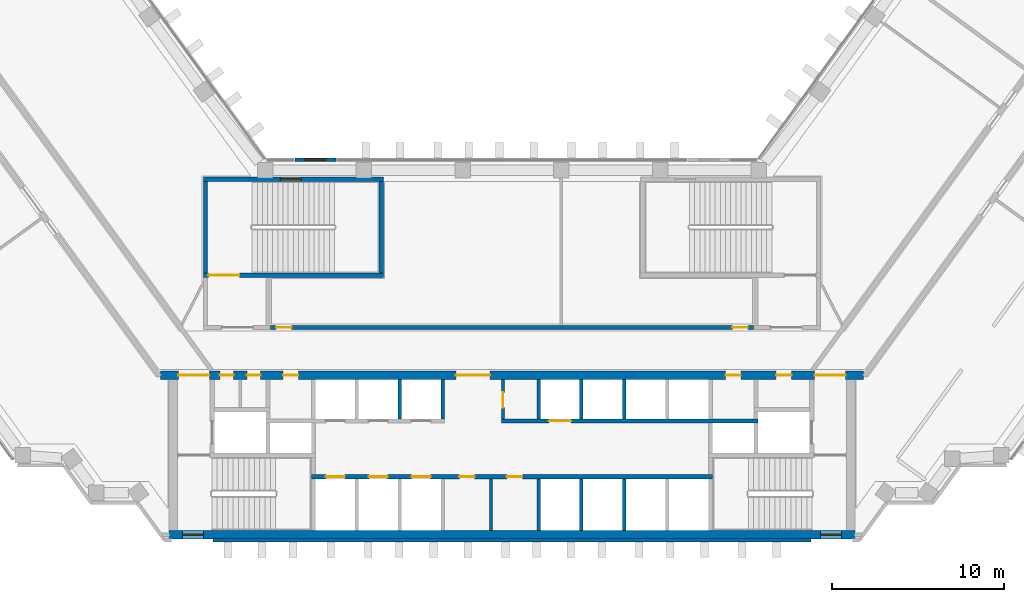
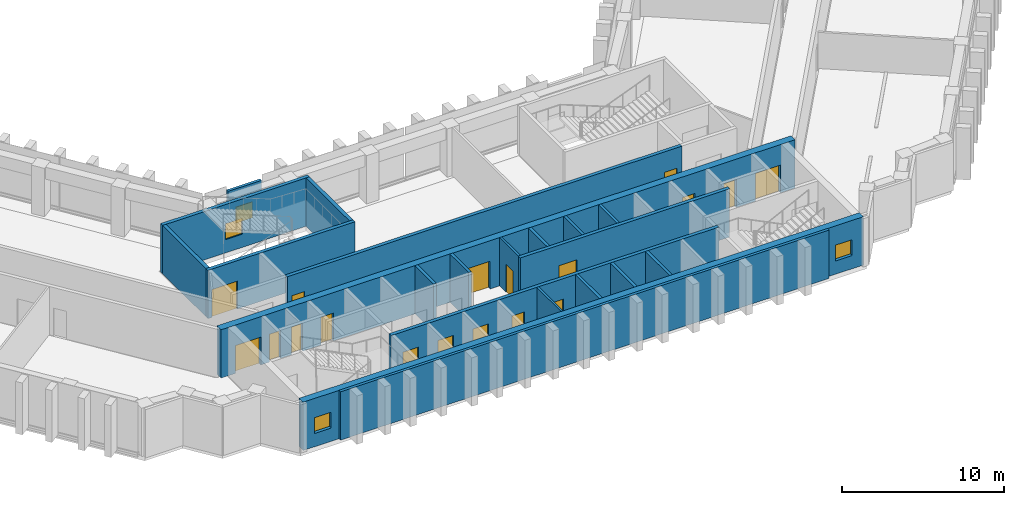
# One storey, part 6 of 12: 21 walls, 18 doors, 4 windows, 22 openings.
"""IFC4 building model written with IfcOpenShell, lengths in metres."""

import ifcopenshell
import ifcopenshell.guid

model = None  # the IFC model being written
_history = None  # IfcOwnerHistory: only IFC2X3 demands one
_inside = {}  # id of a spatial element -> (the spatial element, [elements in it])
_under = {}  # id of a project, library or spatial element -> (it, [spatial elements below it])
_declared = {}  # id of a project -> (the project, [libraries it declares])
_typed = {}  # id of a type object -> (the type object, [elements of that type])
_made_of = {}  # id of a material, layer set ... -> (it, [elements and type objects made of it])


def new_model(schema):
    """Start an empty IFC model of exactly this schema.

    Asked for "IFC4X3", IfcOpenShell would pick the latest addendum, in which some entities
    have other attributes; the version numbers below select the first issue.
    IFC2X3 requires an IfcOwnerHistory on every rooted entity: one is made here for all.
    """
    global model, _history
    if schema == "IFC4X3":
        model = ifcopenshell.file(schema_version=(4, 3, 0, 0))
    else:
        model = ifcopenshell.file(schema=schema)
    _inside.clear()
    _under.clear()
    _declared.clear()
    _typed.clear()
    _made_of.clear()
    _history = None
    if model.schema == "IFC2X3":
        org = make("IfcOrganization", Name="unknown")
        user = make(
            "IfcPersonAndOrganization",
            ThePerson=make("IfcPerson", FamilyName="unknown"),
            TheOrganization=org,
        )
        app = make(
            "IfcApplication",
            ApplicationDeveloper=org,
            Version="unknown",
            ApplicationFullName="unknown",
            ApplicationIdentifier="unknown",
        )
        _history = make(
            "IfcOwnerHistory",
            OwningUser=user,
            OwningApplication=app,
            ChangeAction="ADDED",
            CreationDate=0,
        )
    return model


def make(cls, **values):
    """One entity of the class cls with the attributes given. An attribute that is None is left unset."""
    return model.create_entity(
        cls, **{name: value for name, value in values.items() if value is not None}
    )


def rooted(cls, **values):
    """An entity with a GlobalId (a new one), such as an element, a storey or a relation."""
    return make(cls, GlobalId=ifcopenshell.guid.new(), OwnerHistory=_history, **values)


def si_unit(unit_type, name, prefix=None):
    """IfcSIUnit, for example si_unit("LENGTHUNIT", "METRE", prefix="MILLI")."""
    return make("IfcSIUnit", UnitType=unit_type, Prefix=prefix, Name=name)


def assignment(units):
    """IfcUnitAssignment: the units of a project."""
    return None if units is None else make("IfcUnitAssignment", Units=units)


def point(xyz):
    """IfcCartesianPoint."""
    return None if xyz is None else make("IfcCartesianPoint", Coordinates=xyz)


def direction(xyz):
    """IfcDirection."""
    return None if xyz is None else make("IfcDirection", DirectionRatios=xyz)


def frame(location, z_axis=None, x_axis=None):
    """IfcAxis2Placement3D, a coordinate frame: its origin and axes. An axis left out is left unset."""
    return make(
        "IfcAxis2Placement3D",
        Location=point(location),
        Axis=direction(z_axis),
        RefDirection=direction(x_axis),
    )


def frame_2d(location, x_axis=None):
    """IfcAxis2Placement2D, a coordinate frame in the plane: its origin and x axis."""
    return make(
        "IfcAxis2Placement2D", Location=point(location), RefDirection=direction(x_axis)
    )


def origin():
    """The frame at (0, 0, 0) with its axes left unset."""
    return frame((0.0, 0.0, 0.0))


def place(relative_to, where):
    """IfcLocalPlacement: puts the frame where relative to a parent placement (None: the world)."""
    return make(
        "IfcLocalPlacement", PlacementRelTo=relative_to, RelativePlacement=where
    )


def context(
    kind, dimensions, precision=None, world=None, true_north=None, identifier=None
):
    """IfcGeometricRepresentationContext, for example the 3D "Model" context."""
    return make(
        "IfcGeometricRepresentationContext",
        ContextIdentifier=identifier,
        ContextType=kind,
        CoordinateSpaceDimension=dimensions,
        Precision=precision,
        WorldCoordinateSystem=world,
        TrueNorth=true_north,
    )


def subcontext(parent, identifier, kind, view, scale=None):
    """IfcGeometricRepresentationSubContext, for example "Body" below "Model"."""
    return make(
        "IfcGeometricRepresentationSubContext",
        ContextIdentifier=identifier,
        ContextType=kind,
        ParentContext=parent,
        TargetScale=scale,
        TargetView=view,
    )


def project(units=None, contexts=None):
    """IfcProject with its units and contexts."""
    return rooted(
        "IfcProject",
        Name="project",
        RepresentationContexts=contexts,
        UnitsInContext=assignment(units),
    )


def spatial(cls, under=None, at=None, **own):
    """A site, building, storey or space (cls), placed at a placement, below another one or the project."""
    s = rooted(cls, ObjectPlacement=at, **own)
    if under is not None:
        _under.setdefault(under.id(), (under, []))[1].append(s)
    return s


def profile(cls, at=None, kind="AREA", **sizes):
    """A parametric profile (cls). Its sizes go by their IFC names, for example OverallWidth=200.0."""
    return make(cls, ProfileType=kind, Position=at, **sizes)


def rectangle(**sizes):
    """IfcRectangleProfileDef."""
    return profile("IfcRectangleProfileDef", **sizes)


def extrude(swept, where, along, depth):
    """IfcExtrudedAreaSolid: the profile swept, set in the frame where, extruded along a direction by depth."""
    return make(
        "IfcExtrudedAreaSolid",
        SweptArea=swept,
        Position=where,
        ExtrudedDirection=direction(along),
        Depth=depth,
    )


def shape(context_of_items, identifier, shape_type, items):
    """IfcShapeRepresentation: the items that make up one representation, for example the "Body"."""
    return make(
        "IfcShapeRepresentation",
        ContextOfItems=context_of_items,
        RepresentationIdentifier=identifier,
        RepresentationType=shape_type,
        Items=items,
    )


def material(Name=None, Category=None):
    """IfcMaterial."""
    return make("IfcMaterial", Name=Name, Category=Category)


def layer(
    of_material, thickness, ventilated=None, Name=None, Category=None, Priority=None
):
    """IfcMaterialLayer: one layer of a wall or slab, of a material (None: an air gap)."""
    return make(
        "IfcMaterialLayer",
        Material=of_material,
        LayerThickness=thickness,
        IsVentilated=ventilated,
        Name=Name,
        Category=Category,
        Priority=Priority,
    )


def layer_set(layers, Name=None):
    """IfcMaterialLayerSet."""
    return make("IfcMaterialLayerSet", MaterialLayers=layers, LayerSetName=Name)


def made_of(thing, what):
    """Note that an element or type object is made of a material, layer set ...; save() writes the relation."""
    if what is not None:
        _made_of.setdefault(what.id(), (what, []))[1].append(thing)
    return thing


def type_object(cls, material=None, **own):
    """A type object (cls), such as IfcWallType, which elements share."""
    return made_of(rooted(cls, **own), material)


def element(
    cls,
    number,
    at=None,
    inside=None,
    cuts=None,
    type_object=None,
    material=None,
    context=None,
    identifier="Body",
    shape_type=None,
    held_by="IfcProductDefinitionShape",
    body=None,
    shapes=None,
    **own,
):
    """One element of the class cls, such as IfcWall. Its Tag is "e" and its number.

    at: its placement. inside: the storey or other place that contains it. cuts: it is an
    opening in that element (IfcRelVoidsElement). A single representation is given by context,
    identifier, shape_type and body (its items); several are given by shapes. held_by: the class
    of the entity that holds the representations. save() writes the other relations.
    """
    e = rooted(cls, Tag="e%d" % number, ObjectPlacement=at, **own)
    if body is not None:
        shapes = [shape(context, identifier, shape_type, body)]
    if shapes is not None:
        e.Representation = make(held_by, Representations=shapes)
    if inside is not None:
        _inside.setdefault(inside.id(), (inside, []))[1].append(e)
    if cuts is not None:
        rooted(
            "IfcRelVoidsElement", RelatingBuildingElement=cuts, RelatedOpeningElement=e
        )
    if type_object is not None:
        _typed.setdefault(type_object.id(), (type_object, []))[1].append(e)
    return made_of(e, material)


def fill(opening, filler):
    """IfcRelFillsElement: the door or window that sits in an opening."""
    return rooted(
        "IfcRelFillsElement",
        RelatingOpeningElement=opening,
        RelatedBuildingElement=filler,
    )


def aggregate(whole, parts):
    """IfcRelAggregates: a whole, such as a stair, and the parts it consists of."""
    return rooted("IfcRelAggregates", RelatingObject=whole, RelatedObjects=parts)


def save(model, path):
    """Write the relations noted so far, then the file.

    IfcRelAggregates (storeys below a building ...), IfcRelContainedInSpatialStructure (elements
    in a storey), IfcRelDefinesByType, IfcRelAssociatesMaterial and IfcRelDeclares: one each for
    every whole, place, type object, material and project.
    """
    for whole, parts in _under.values():
        aggregate(whole, parts)
    for where, things in _inside.values():
        rooted(
            "IfcRelContainedInSpatialStructure",
            RelatedElements=things,
            RelatingStructure=where,
        )
    for kind, things in _typed.values():
        rooted("IfcRelDefinesByType", RelatedObjects=things, RelatingType=kind)
    for what, things in _made_of.values():
        rooted("IfcRelAssociatesMaterial", RelatedObjects=things, RelatingMaterial=what)
    for by, libraries in _declared.values():
        rooted("IfcRelDeclares", RelatingContext=by, RelatedDefinitions=libraries)
    model.write(path)


model = new_model("IFC4")

# Units and contexts
model_context = context("Model", 3, precision=1e-05, world=origin(), true_north=direction((0.0, 1.0)))
body_context = subcontext(model_context, "Body", "Model", "MODEL_VIEW")
ifc_project = project(units=[si_unit("LENGTHUNIT", "METRE"), si_unit("AREAUNIT", "SQUARE_METRE"), si_unit("VOLUMEUNIT", "CUBIC_METRE"), si_unit("PLANEANGLEUNIT", "RADIAN"), si_unit("MASSUNIT", "GRAM", prefix="KILO")], contexts=[model_context])

# Site, building, storey
site_placement = place(None, origin())
site = spatial("IfcSite", under=ifc_project, at=site_placement, CompositionType="ELEMENT")
building_placement = place(site_placement, origin())
building = spatial("IfcBuilding", under=site, at=building_placement, Name="Quipu Civic Tower", CompositionType="ELEMENT")
storey_placement = place(building_placement, frame((0.0, 0.0, 109.0)))
storey = spatial("IfcBuildingStorey", under=building, at=storey_placement, Name="L25", CompositionType="ELEMENT", Elevation=109.0)

# Wall, openings, doors
ifc_material_1 = material(Name="Concrete C70/85", Category="concrete")
ifc_layer_1 = layer(ifc_material_1, 0.25)
ifc_layer_set_1 = layer_set([ifc_layer_1], Name="Concrete C70/85")
wall_type_1 = type_object("IfcWallType", Name="Core wall 250", PredefinedType="SHEAR", material=ifc_layer_set_1)
wall_1_placement = place(storey_placement, frame((11.699951171875, -7.375, 0.0), z_axis=(0.0, 0.0, 1.0), x_axis=(-1.0, 0.0, 0.0)))
wall_1 = element("IfcWall", 1, at=wall_1_placement, inside=storey, type_object=wall_type_1, Name="Core wall", PredefinedType="SHEAR", context=body_context, shape_type="SweptSolid", body=[
    extrude(rectangle(XDim=23.39990234375, YDim=0.25, at=frame_2d((11.699951171875, 0.0))), origin(), (0.0, 0.0, 1.0), 3.64990234375),
])
opening_1_placement = place(wall_1_placement, frame((21.449951171875, 0.0, 0.0)))
opening_1 = element("IfcOpeningElement", 2, at=opening_1_placement, cuts=wall_1, Name="Opening LD-LL1", PredefinedType="OPENING", context=body_context, shape_type="SweptSolid", body=[
    extrude(rectangle(XDim=1.10009765625, YDim=2.10009765625, at=frame_2d((0.550048828125, 1.050048828125))), frame((0.0, 0.135009765625, 0.0), z_axis=(0.0, -1.0, 0.0), x_axis=(1.0, 0.0, 0.0)), (0.0, 0.0, 1.0), 0.27001953125),
])
opening_2_placement = place(wall_1_placement, frame((18.949951171875, 0.0, 0.0)))
opening_2 = element("IfcOpeningElement", 3, at=opening_2_placement, cuts=wall_1, Name="Opening LD-LL2", PredefinedType="OPENING", context=body_context, shape_type="SweptSolid", body=[
    extrude(rectangle(XDim=1.10009765625, YDim=2.10009765625, at=frame_2d((0.550048828125, 1.050048828125))), frame((0.0, 0.135009765625, 0.0), z_axis=(0.0, -1.0, 0.0), x_axis=(1.0, 0.0, 0.0)), (0.0, 0.0, 1.0), 0.27001953125),
])
opening_3_placement = place(wall_1_placement, frame((16.449951171875, 0.0, 0.0)))
opening_3 = element("IfcOpeningElement", 4, at=opening_3_placement, cuts=wall_1, Name="Opening LD-LL3", PredefinedType="OPENING", context=body_context, shape_type="SweptSolid", body=[
    extrude(rectangle(XDim=1.10009765625, YDim=2.10009765625, at=frame_2d((0.550048828125, 1.050048828125))), frame((0.0, 0.135009765625, 0.0), z_axis=(0.0, -1.0, 0.0), x_axis=(1.0, 0.0, 0.0)), (0.0, 0.0, 1.0), 0.27001953125),
])
opening_4_placement = place(wall_1_placement, frame((13.875, 0.0, 0.0)))
opening_4 = element("IfcOpeningElement", 5, at=opening_4_placement, cuts=wall_1, Name="Opening CD-01", PredefinedType="OPENING", context=body_context, shape_type="SweptSolid", body=[
    extrude(rectangle(XDim=0.89990234375, YDim=2.10009765625, at=frame_2d((0.449951171875, 1.050048828125))), frame((0.0, 0.135009765625, 0.0), z_axis=(0.0, -1.0, 0.0), x_axis=(1.0, 0.0, 0.0)), (0.0, 0.0, 1.0), 0.27001953125),
])
opening_5_placement = place(wall_1_placement, frame((11.10009765625, 0.0, 0.0)))
opening_5 = element("IfcOpeningElement", 6, at=opening_5_placement, cuts=wall_1, Name="Opening CD-02", PredefinedType="OPENING", context=body_context, shape_type="SweptSolid", body=[
    extrude(rectangle(XDim=0.89990234375, YDim=2.10009765625, at=frame_2d((0.449951171875, 1.050048828125))), frame((0.0, 0.135009765625, 0.0), z_axis=(0.0, -1.0, 0.0), x_axis=(1.0, 0.0, 0.0)), (0.0, 0.0, 1.0), 0.27001953125),
])
ifc_material_2 = material(Name="Fire rated steel door", Category="steel")
door_type_1 = type_object("IfcDoorType", Name="Fire door FD60 900 x 2100", OperationType="NOTDEFINED", PredefinedType="DOOR", material=ifc_material_2)
door_1_placement = place(opening_4_placement, origin())
door_1 = element("IfcDoor", 7, at=door_1_placement, inside=storey, type_object=door_type_1, Name="WC door", OperationType="SINGLE_SWING_RIGHT", OverallHeight=2.10009765625, OverallWidth=0.89990234375, PredefinedType="DOOR", context=body_context, shape_type="SweptSolid", body=[
    extrude(rectangle(XDim=0.89990234375, YDim=2.10009765625, at=frame_2d((0.449951171875, 1.050048828125))), frame((0.0, 0.02490234375, 0.0), z_axis=(0.0, -1.0, 0.0), x_axis=(1.0, 0.0, 0.0)), (0.0, 0.0, 1.0), 0.050048828125),
])
fill(opening_4, door_1)
door_2_placement = place(opening_5_placement, origin())
door_2 = element("IfcDoor", 8, at=door_2_placement, inside=storey, type_object=door_type_1, Name="WC door", OperationType="SINGLE_SWING_LEFT", OverallHeight=2.10009765625, OverallWidth=0.89990234375, PredefinedType="DOOR", context=body_context, shape_type="SweptSolid", body=[
    extrude(rectangle(XDim=0.89990234375, YDim=2.10009765625, at=frame_2d((0.449951171875, 1.050048828125))), frame((0.0, 0.02490234375, 0.0), z_axis=(0.0, -1.0, 0.0), x_axis=(1.0, 0.0, 0.0)), (0.0, 0.0, 1.0), 0.050048828125),
])
fill(opening_5, door_2)
ifc_material_3 = material(Name="Stainless steel", Category="steel")
door_type_2 = type_object("IfcDoorType", Name="Lift landing door 1100 x 2100", OperationType="DOUBLE_DOOR_SLIDING", PredefinedType="DOOR", material=ifc_material_3)
door_3_placement = place(opening_1_placement, origin())
door_3 = element("IfcDoor", 9, at=door_3_placement, inside=storey, type_object=door_type_2, Name="Landing door LL1", OperationType="DOUBLE_DOOR_SLIDING", OverallHeight=2.10009765625, OverallWidth=1.10009765625, PredefinedType="DOOR", context=body_context, shape_type="SweptSolid", body=[
    extrude(rectangle(XDim=1.10009765625, YDim=2.10009765625, at=frame_2d((0.550048828125, 1.050048828125))), frame((0.0, 0.02490234375, 0.0), z_axis=(0.0, -1.0, 0.0), x_axis=(1.0, 0.0, 0.0)), (0.0, 0.0, 1.0), 0.050048828125),
])
fill(opening_1, door_3)
door_4_placement = place(opening_2_placement, origin())
door_4 = element("IfcDoor", 10, at=door_4_placement, inside=storey, type_object=door_type_2, Name="Landing door LL2", OperationType="DOUBLE_DOOR_SLIDING", OverallHeight=2.10009765625, OverallWidth=1.10009765625, PredefinedType="DOOR", context=body_context, shape_type="SweptSolid", body=[
    extrude(rectangle(XDim=1.10009765625, YDim=2.10009765625, at=frame_2d((0.550048828125, 1.050048828125))), frame((0.0, 0.02490234375, 0.0), z_axis=(0.0, -1.0, 0.0), x_axis=(1.0, 0.0, 0.0)), (0.0, 0.0, 1.0), 0.050048828125),
])
fill(opening_2, door_4)
door_5_placement = place(opening_3_placement, origin())
door_5 = element("IfcDoor", 11, at=door_5_placement, inside=storey, type_object=door_type_2, Name="Landing door LL3", OperationType="DOUBLE_DOOR_SLIDING", OverallHeight=2.10009765625, OverallWidth=1.10009765625, PredefinedType="DOOR", context=body_context, shape_type="SweptSolid", body=[
    extrude(rectangle(XDim=1.10009765625, YDim=2.10009765625, at=frame_2d((0.550048828125, 1.050048828125))), frame((0.0, 0.02490234375, 0.0), z_axis=(0.0, -1.0, 0.0), x_axis=(1.0, 0.0, 0.0)), (0.0, 0.0, 1.0), 0.050048828125),
])
fill(opening_3, door_5)

# Wall, opening, door
wall_2_placement = place(storey_placement, frame((-0.60009765625, -4.125, 0.0), z_axis=(0.0, 0.0, 1.0), x_axis=(1.0, 0.0, 0.0)))
wall_2 = element("IfcWall", 12, at=wall_2_placement, inside=storey, type_object=wall_type_1, Name="Core wall", PredefinedType="SHEAR", context=body_context, shape_type="SweptSolid", body=[
    extrude(rectangle(XDim=14.9501953125, YDim=0.25, at=frame_2d((7.47509765625, 0.0))), origin(), (0.0, 0.0, 1.0), 3.64990234375),
])
opening_6_placement = place(wall_2_placement, frame((2.75, 0.0, 0.0)))
opening_6 = element("IfcOpeningElement", 13, at=opening_6_placement, cuts=wall_2, Name="Opening LD-FF3", PredefinedType="OPENING", context=body_context, shape_type="SweptSolid", body=[
    extrude(rectangle(XDim=1.300048828125, YDim=2.10009765625, at=frame_2d((0.64990234375, 1.050048828125))), frame((0.0, 0.135009765625, 0.0), z_axis=(0.0, -1.0, 0.0), x_axis=(1.0, 0.0, 0.0)), (0.0, 0.0, 1.0), 0.27001953125),
])
ifc_material_4 = material(Name="Stainless steel", Category="steel")
door_type_3 = type_object("IfcDoorType", Name="Lift landing door 1300 x 2100", OperationType="DOUBLE_DOOR_SLIDING", PredefinedType="DOOR", material=ifc_material_4)
door_6_placement = place(opening_6_placement, origin())
door_6 = element("IfcDoor", 14, at=door_6_placement, inside=storey, type_object=door_type_3, Name="Landing door FF3", OperationType="DOUBLE_DOOR_SLIDING", OverallHeight=2.10009765625, OverallWidth=1.300048828125, PredefinedType="DOOR", context=body_context, shape_type="SweptSolid", body=[
    extrude(rectangle(XDim=1.300048828125, YDim=2.10009765625, at=frame_2d((0.64990234375, 1.050048828125))), frame((0.0, 0.02490234375, 0.0), z_axis=(0.0, -1.0, 0.0), x_axis=(1.0, 0.0, 0.0)), (0.0, 0.0, 1.0), 0.050048828125),
])
fill(opening_6, door_6)

wall_3_placement = place(storey_placement, frame((-18.0, 4.375, 0.0), z_axis=(0.0, 0.0, 1.0), x_axis=(1.0, 0.0, 0.0)))
wall_3 = element("IfcWall", 15, at=wall_3_placement, inside=storey, type_object=wall_type_1, Name="Core wall", PredefinedType="SHEAR", context=body_context, shape_type="SweptSolid", body=[
    extrude(rectangle(XDim=10.5, YDim=0.25, at=frame_2d((5.25, 0.0))), origin(), (0.0, 0.0, 1.0), 3.64990234375),
])
opening_7_placement = place(wall_3_placement, frame((0.300048828125, 0.0, 0.0)))
opening_7 = element("IfcOpeningElement", 16, at=opening_7_placement, cuts=wall_3, Name="Opening CD-15", PredefinedType="OPENING", context=body_context, shape_type="SweptSolid", body=[
    extrude(rectangle(XDim=1.800048828125, YDim=2.10009765625, at=frame_2d((0.89990234375, 1.050048828125))), frame((0.0, 0.135009765625, 0.0), z_axis=(0.0, -1.0, 0.0), x_axis=(1.0, 0.0, 0.0)), (0.0, 0.0, 1.0), 0.27001953125),
])
ifc_material_5 = material(Name="Fire rated steel door", Category="steel")
door_type_4 = type_object("IfcDoorType", Name="Fire door FD90 double 1800 x 2100", OperationType="NOTDEFINED", PredefinedType="DOOR", material=ifc_material_5)
door_7_placement = place(opening_7_placement, origin())
door_7 = element("IfcDoor", 17, at=door_7_placement, inside=storey, type_object=door_type_4, Name="Door", OperationType="DOUBLE_DOOR_SINGLE_SWING", OverallHeight=2.10009765625, OverallWidth=1.800048828125, PredefinedType="DOOR", context=body_context, shape_type="SweptSolid", body=[
    extrude(rectangle(XDim=1.800048828125, YDim=2.10009765625, at=frame_2d((0.89990234375, 1.050048828125))), frame((0.0, 0.02490234375, 0.0), z_axis=(0.0, -1.0, 0.0), x_axis=(1.0, 0.0, 0.0)), (0.0, 0.0, 1.0), 0.050048828125),
])
fill(opening_7, door_7)

# Walls
for number, where, z_axis, x_axis, name in (
    (18, (-17.875, 4.5, 0.0), (0.0, 0.0, 1.0), (0.0, 1.0, 0.0), "Core wall"),
    (19, (-7.625, 4.5, 0.0), (0.0, 0.0, 1.0), (0.0, 1.0, 0.0), "Core wall"),
):
    element("IfcWall", number, at=place(storey_placement, frame(where, z_axis=z_axis, x_axis=x_axis)), inside=storey, type_object=wall_type_1, Name=name, PredefinedType="SHEAR", context=body_context, shape_type="SweptSolid", body=[
        extrude(rectangle(XDim=5.35009765625, YDim=0.25, at=frame_2d((2.675048828125, 0.0))), origin(), (0.0, 0.0, 1.0), 3.64990234375),
    ])

# Wall, opening, window
wall_4_placement = place(storey_placement, frame((-18.0, 9.97509765625, 0.0), z_axis=(0.0, 0.0, 1.0), x_axis=(1.0, 0.0, 0.0)))
wall_4 = element("IfcWall", 20, at=wall_4_placement, inside=storey, type_object=wall_type_1, Name="Core wall", PredefinedType="SHEAR", context=body_context, shape_type="SweptSolid", body=[
    extrude(rectangle(XDim=10.5, YDim=0.25, at=frame_2d((5.25, 0.0))), origin(), (0.0, 0.0, 1.0), 3.64990234375),
])
opening_8_placement = place(wall_4_placement, frame((4.5, 0.0, 1.0)))
opening_8 = element("IfcOpeningElement", 21, at=opening_8_placement, cuts=wall_4, Name="Opening SV-3", PredefinedType="OPENING", context=body_context, shape_type="SweptSolid", body=[
    extrude(rectangle(XDim=1.199951171875, YDim=1.199951171875, at=frame_2d((0.60009765625, 0.60009765625))), frame((0.0, 0.135009765625, 0.0), z_axis=(0.0, -1.0, 0.0), x_axis=(1.0, 0.0, 0.0)), (0.0, 0.0, 1.0), 0.27001953125),
])
ifc_material_6 = material(Name="Aluminium louvre", Category="aluminium")
window_type_1 = type_object("IfcWindowType", Name="Stair ventilation louvre 1200 x 1200", PartitioningType="SINGLE_PANEL", PredefinedType="WINDOW", material=ifc_material_6)
window_1_placement = place(opening_8_placement, origin())
window_1 = element("IfcWindow", 22, at=window_1_placement, inside=storey, type_object=window_type_1, Name="Stair ventilation opening", OverallHeight=1.199951171875, OverallWidth=1.199951171875, PartitioningType="SINGLE_PANEL", PredefinedType="WINDOW", context=body_context, shape_type="SweptSolid", body=[
    extrude(rectangle(XDim=1.199951171875, YDim=1.199951171875, at=frame_2d((0.60009765625, 0.60009765625))), frame((0.0, 0.030029296875, 0.0), z_axis=(0.0, -1.0, 0.0), x_axis=(1.0, 0.0, 0.0)), (0.0, 0.0, 1.0), 0.06005859375),
])
fill(opening_8, window_1)

# Wall, openings, windows
ifc_material_7 = material(Name="Concrete C70/85", Category="concrete")
ifc_layer_2 = layer(ifc_material_7, 0.5)
ifc_layer_set_2 = layer_set([ifc_layer_2], Name="Concrete C70/85")
wall_type_2 = type_object("IfcWallType", Name="Core wall 500", PredefinedType="SHEAR", material=ifc_layer_set_2)
wall_5_placement = place(storey_placement, frame((-20.0, -10.75, 0.0), z_axis=(0.0, 0.0, 1.0), x_axis=(1.0, 0.0, 0.0)))
wall_5 = element("IfcWall", 23, at=wall_5_placement, inside=storey, type_object=wall_type_2, Name="Core wall", PredefinedType="SHEAR", context=body_context, shape_type="SweptSolid", body=[
    extrude(rectangle(XDim=40.0, YDim=0.5, at=frame_2d((20.0, 0.0))), origin(), (0.0, 0.0, 1.0), 3.64990234375),
])
opening_9_placement = place(wall_5_placement, frame((0.800048828125, 0.0, 1.0)))
opening_9 = element("IfcOpeningElement", 24, at=opening_9_placement, cuts=wall_5, Name="Opening SV-1", PredefinedType="OPENING", context=body_context, shape_type="SweptSolid", body=[
    extrude(rectangle(XDim=1.199951171875, YDim=1.199951171875, at=frame_2d((0.60009765625, 0.60009765625))), frame((0.0, 0.260009765625, 0.0), z_axis=(0.0, -1.0, 0.0), x_axis=(1.0, 0.0, 0.0)), (0.0, 0.0, 1.0), 0.52001953125),
])
opening_10_placement = place(wall_5_placement, frame((38.0, 0.0, 1.0)))
opening_10 = element("IfcOpeningElement", 25, at=opening_10_placement, cuts=wall_5, Name="Opening SV-2", PredefinedType="OPENING", context=body_context, shape_type="SweptSolid", body=[
    extrude(rectangle(XDim=1.199951171875, YDim=1.199951171875, at=frame_2d((0.60009765625, 0.60009765625))), frame((0.0, 0.260009765625, 0.0), z_axis=(0.0, -1.0, 0.0), x_axis=(1.0, 0.0, 0.0)), (0.0, 0.0, 1.0), 0.52001953125),
])
window_2_placement = place(opening_9_placement, origin())
window_2 = element("IfcWindow", 26, at=window_2_placement, inside=storey, type_object=window_type_1, Name="Stair ventilation opening", OverallHeight=1.199951171875, OverallWidth=1.199951171875, PartitioningType="SINGLE_PANEL", PredefinedType="WINDOW", context=body_context, shape_type="SweptSolid", body=[
    extrude(rectangle(XDim=1.199951171875, YDim=1.199951171875, at=frame_2d((0.60009765625, 0.60009765625))), frame((0.0, 0.030029296875, 0.0), z_axis=(0.0, -1.0, 0.0), x_axis=(1.0, 0.0, 0.0)), (0.0, 0.0, 1.0), 0.06005859375),
])
fill(opening_9, window_2)
window_3_placement = place(opening_10_placement, origin())
window_3 = element("IfcWindow", 27, at=window_3_placement, inside=storey, type_object=window_type_1, Name="Stair ventilation opening", OverallHeight=1.199951171875, OverallWidth=1.199951171875, PartitioningType="SINGLE_PANEL", PredefinedType="WINDOW", context=body_context, shape_type="SweptSolid", body=[
    extrude(rectangle(XDim=1.199951171875, YDim=1.199951171875, at=frame_2d((0.60009765625, 0.60009765625))), frame((0.0, 0.030029296875, 0.0), z_axis=(0.0, -1.0, 0.0), x_axis=(1.0, 0.0, 0.0)), (0.0, 0.0, 1.0), 0.06005859375),
])
fill(opening_10, window_3)

# Wall, openings, doors
wall_6_placement = place(storey_placement, frame((20.489990234375, -1.449951171875, 0.0), z_axis=(0.0, 0.0, 1.0), x_axis=(-1.0, 0.0, 0.0)))
wall_6 = element("IfcWall", 28, at=wall_6_placement, inside=storey, type_object=wall_type_2, Name="Core wall", PredefinedType="SHEAR", context=body_context, shape_type="SweptSolid", body=[
    extrude(rectangle(XDim=40.97998046875, YDim=0.5, at=frame_2d((20.489990234375, 0.0))), origin(), (0.0, 0.0, 1.0), 3.64990234375),
])
opening_11_placement = place(wall_6_placement, frame((38.139892578125, 0.0, 0.0)))
opening_11 = element("IfcOpeningElement", 29, at=opening_11_placement, cuts=wall_6, Name="Opening CD-06", PredefinedType="OPENING", context=body_context, shape_type="SweptSolid", body=[
    extrude(rectangle(XDim=1.800048828125, YDim=2.10009765625, at=frame_2d((0.89990234375, 1.050048828125))), frame((0.0, 0.260009765625, 0.0), z_axis=(0.0, -1.0, 0.0), x_axis=(1.0, 0.0, 0.0)), (0.0, 0.0, 1.0), 0.52001953125),
])
opening_12_placement = place(wall_6_placement, frame((36.7275390625, 0.0, 0.0)))
opening_12 = element("IfcOpeningElement", 30, at=opening_12_placement, cuts=wall_6, Name="Opening CD-07", PredefinedType="OPENING", context=body_context, shape_type="SweptSolid", body=[
    extrude(rectangle(XDim=0.800048828125, YDim=2.10009765625, at=frame_2d((0.39990234375, 1.050048828125))), frame((0.0, 0.260009765625, 0.0), z_axis=(0.0, -1.0, 0.0), x_axis=(1.0, 0.0, 0.0)), (0.0, 0.0, 1.0), 0.52001953125),
])
opening_13_placement = place(wall_6_placement, frame((35.152587890625, 0.0, 0.0)))
opening_13 = element("IfcOpeningElement", 31, at=opening_13_placement, cuts=wall_6, Name="Opening CD-08", PredefinedType="OPENING", context=body_context, shape_type="SweptSolid", body=[
    extrude(rectangle(XDim=0.800048828125, YDim=2.10009765625, at=frame_2d((0.39990234375, 1.050048828125))), frame((0.0, 0.260009765625, 0.0), z_axis=(0.0, -1.0, 0.0), x_axis=(1.0, 0.0, 0.0)), (0.0, 0.0, 1.0), 0.52001953125),
])
opening_14_placement = place(wall_6_placement, frame((32.93994140625, 0.0, 0.0)))
opening_14 = element("IfcOpeningElement", 32, at=opening_14_placement, cuts=wall_6, Name="Opening CD-09", PredefinedType="OPENING", context=body_context, shape_type="SweptSolid", body=[
    extrude(rectangle(XDim=0.89990234375, YDim=2.10009765625, at=frame_2d((0.449951171875, 1.050048828125))), frame((0.0, 0.260009765625, 0.0), z_axis=(0.0, -1.0, 0.0), x_axis=(1.0, 0.0, 0.0)), (0.0, 0.0, 1.0), 0.52001953125),
])
opening_15_placement = place(wall_6_placement, frame((21.764892578125, 0.0, 0.0)))
opening_15 = element("IfcOpeningElement", 33, at=opening_15_placement, cuts=wall_6, Name="Opening CD-10", PredefinedType="OPENING", context=body_context, shape_type="SweptSolid", body=[
    extrude(rectangle(XDim=2.0, YDim=2.10009765625, at=frame_2d((1.0, 1.050048828125))), frame((0.0, 0.260009765625, 0.0), z_axis=(0.0, -1.0, 0.0), x_axis=(1.0, 0.0, 0.0)), (0.0, 0.0, 1.0), 0.52001953125),
])
opening_16_placement = place(wall_6_placement, frame((7.139892578125, 0.0, 0.0)))
opening_16 = element("IfcOpeningElement", 34, at=opening_16_placement, cuts=wall_6, Name="Opening CD-11", PredefinedType="OPENING", context=body_context, shape_type="SweptSolid", body=[
    extrude(rectangle(XDim=0.89990234375, YDim=2.10009765625, at=frame_2d((0.449951171875, 1.050048828125))), frame((0.0, 0.260009765625, 0.0), z_axis=(0.0, -1.0, 0.0), x_axis=(1.0, 0.0, 0.0)), (0.0, 0.0, 1.0), 0.52001953125),
])
opening_17_placement = place(wall_6_placement, frame((4.18994140625, 0.0, 0.0)))
opening_17 = element("IfcOpeningElement", 35, at=opening_17_placement, cuts=wall_6, Name="Opening CD-12", PredefinedType="OPENING", context=body_context, shape_type="SweptSolid", body=[
    extrude(rectangle(XDim=0.89990234375, YDim=2.10009765625, at=frame_2d((0.449951171875, 1.050048828125))), frame((0.0, 0.260009765625, 0.0), z_axis=(0.0, -1.0, 0.0), x_axis=(1.0, 0.0, 0.0)), (0.0, 0.0, 1.0), 0.52001953125),
])
opening_18_placement = place(wall_6_placement, frame((1.0400390625, 0.0, 0.0)))
opening_18 = element("IfcOpeningElement", 36, at=opening_18_placement, cuts=wall_6, Name="Opening CD-13", PredefinedType="OPENING", context=body_context, shape_type="SweptSolid", body=[
    extrude(rectangle(XDim=1.800048828125, YDim=2.10009765625, at=frame_2d((0.89990234375, 1.050048828125))), frame((0.0, 0.260009765625, 0.0), z_axis=(0.0, -1.0, 0.0), x_axis=(1.0, 0.0, 0.0)), (0.0, 0.0, 1.0), 0.52001953125),
])
ifc_material_8 = material(Name="Fire rated steel door", Category="steel")
door_type_5 = type_object("IfcDoorType", Name="Fire door FD60 800 x 2100", OperationType="NOTDEFINED", PredefinedType="DOOR", material=ifc_material_8)
door_8_placement = place(opening_12_placement, origin())
door_8 = element("IfcDoor", 37, at=door_8_placement, inside=storey, type_object=door_type_5, Name="Door", OperationType="SINGLE_SWING_RIGHT", OverallHeight=2.10009765625, OverallWidth=0.800048828125, PredefinedType="DOOR", context=body_context, shape_type="SweptSolid", body=[
    extrude(rectangle(XDim=0.800048828125, YDim=2.10009765625, at=frame_2d((0.39990234375, 1.050048828125))), frame((0.0, 0.02490234375, 0.0), z_axis=(0.0, -1.0, 0.0), x_axis=(1.0, 0.0, 0.0)), (0.0, 0.0, 1.0), 0.050048828125),
])
fill(opening_12, door_8)
door_9_placement = place(opening_13_placement, origin())
door_9 = element("IfcDoor", 38, at=door_9_placement, inside=storey, type_object=door_type_5, Name="Door", OperationType="SINGLE_SWING_RIGHT", OverallHeight=2.10009765625, OverallWidth=0.800048828125, PredefinedType="DOOR", context=body_context, shape_type="SweptSolid", body=[
    extrude(rectangle(XDim=0.800048828125, YDim=2.10009765625, at=frame_2d((0.39990234375, 1.050048828125))), frame((0.0, 0.02490234375, 0.0), z_axis=(0.0, -1.0, 0.0), x_axis=(1.0, 0.0, 0.0)), (0.0, 0.0, 1.0), 0.050048828125),
])
fill(opening_13, door_9)
door_10_placement = place(opening_14_placement, origin())
door_10 = element("IfcDoor", 39, at=door_10_placement, inside=storey, type_object=door_type_1, Name="Riser door", OperationType="SINGLE_SWING_RIGHT", OverallHeight=2.10009765625, OverallWidth=0.89990234375, PredefinedType="DOOR", context=body_context, shape_type="SweptSolid", body=[
    extrude(rectangle(XDim=0.89990234375, YDim=2.10009765625, at=frame_2d((0.449951171875, 1.050048828125))), frame((0.0, 0.02490234375, 0.0), z_axis=(0.0, -1.0, 0.0), x_axis=(1.0, 0.0, 0.0)), (0.0, 0.0, 1.0), 0.050048828125),
])
fill(opening_14, door_10)
door_11_placement = place(opening_16_placement, origin())
door_11 = element("IfcDoor", 40, at=door_11_placement, inside=storey, type_object=door_type_1, Name="Riser door", OperationType="SINGLE_SWING_LEFT", OverallHeight=2.10009765625, OverallWidth=0.89990234375, PredefinedType="DOOR", context=body_context, shape_type="SweptSolid", body=[
    extrude(rectangle(XDim=0.89990234375, YDim=2.10009765625, at=frame_2d((0.449951171875, 1.050048828125))), frame((0.0, 0.02490234375, 0.0), z_axis=(0.0, -1.0, 0.0), x_axis=(1.0, 0.0, 0.0)), (0.0, 0.0, 1.0), 0.050048828125),
])
fill(opening_16, door_11)
door_12_placement = place(opening_17_placement, origin())
door_12 = element("IfcDoor", 41, at=door_12_placement, inside=storey, type_object=door_type_1, Name="Door", OperationType="SINGLE_SWING_LEFT", OverallHeight=2.10009765625, OverallWidth=0.89990234375, PredefinedType="DOOR", context=body_context, shape_type="SweptSolid", body=[
    extrude(rectangle(XDim=0.89990234375, YDim=2.10009765625, at=frame_2d((0.449951171875, 1.050048828125))), frame((0.0, 0.02490234375, 0.0), z_axis=(0.0, -1.0, 0.0), x_axis=(1.0, 0.0, 0.0)), (0.0, 0.0, 1.0), 0.050048828125),
])
fill(opening_17, door_12)
door_13_placement = place(opening_11_placement, origin())
door_13 = element("IfcDoor", 42, at=door_13_placement, inside=storey, type_object=door_type_4, Name="Lobby door", OperationType="DOUBLE_DOOR_SINGLE_SWING", OverallHeight=2.10009765625, OverallWidth=1.800048828125, PredefinedType="DOOR", context=body_context, shape_type="SweptSolid", body=[
    extrude(rectangle(XDim=1.800048828125, YDim=2.10009765625, at=frame_2d((0.89990234375, 1.050048828125))), frame((0.0, 0.02490234375, 0.0), z_axis=(0.0, -1.0, 0.0), x_axis=(1.0, 0.0, 0.0)), (0.0, 0.0, 1.0), 0.050048828125),
])
fill(opening_11, door_13)
door_14_placement = place(opening_18_placement, origin())
door_14 = element("IfcDoor", 43, at=door_14_placement, inside=storey, type_object=door_type_4, Name="Lobby door", OperationType="DOUBLE_DOOR_SINGLE_SWING", OverallHeight=2.10009765625, OverallWidth=1.800048828125, PredefinedType="DOOR", context=body_context, shape_type="SweptSolid", body=[
    extrude(rectangle(XDim=1.800048828125, YDim=2.10009765625, at=frame_2d((0.89990234375, 1.050048828125))), frame((0.0, 0.02490234375, 0.0), z_axis=(0.0, -1.0, 0.0), x_axis=(1.0, 0.0, 0.0)), (0.0, 0.0, 1.0), 0.050048828125),
])
fill(opening_18, door_14)
ifc_material_9 = material(Name="Fire rated steel door", Category="steel")
door_type_6 = type_object("IfcDoorType", Name="Fire door FD90 double 2000 x 2100", OperationType="NOTDEFINED", PredefinedType="DOOR", material=ifc_material_9)
door_15_placement = place(opening_15_placement, origin())
door_15 = element("IfcDoor", 44, at=door_15_placement, inside=storey, type_object=door_type_6, Name="Lobby door", OperationType="DOUBLE_DOOR_SINGLE_SWING", OverallHeight=2.10009765625, OverallWidth=2.0, PredefinedType="DOOR", context=body_context, shape_type="SweptSolid", body=[
    extrude(rectangle(XDim=2.0, YDim=2.10009765625, at=frame_2d((1.0, 1.050048828125))), frame((0.0, 0.02490234375, 0.0), z_axis=(0.0, -1.0, 0.0), x_axis=(1.0, 0.0, 0.0)), (0.0, 0.0, 1.0), 0.050048828125),
])
fill(opening_15, door_15)

ifc_material_10 = material(Name="Concrete C50/60", Category="concrete")
ifc_layer_3 = layer(ifc_material_10, 0.25)
ifc_layer_set_3 = layer_set([ifc_layer_3], Name="Concrete C50/60")
wall_type_3 = type_object("IfcWallType", Name="Corridor wall 250 concrete", PredefinedType="SOLIDWALL", material=ifc_layer_set_3)
wall_7_placement = place(storey_placement, frame((-14.090087890625, 1.324951171875, 0.0), z_axis=(0.0, 0.0, 1.0), x_axis=(1.0, 0.0, 0.0)))
wall_7 = element("IfcWall", 45, at=wall_7_placement, inside=storey, type_object=wall_type_3, Name="Corridor wall C05", PredefinedType="SOLIDWALL", context=body_context, shape_type="SweptSolid", body=[
    extrude(rectangle(XDim=28.18017578125, YDim=0.25, at=frame_2d((14.090087890625, 0.0))), origin(), (0.0, 0.0, 1.0), 3.64990234375),
])
opening_19_placement = place(wall_7_placement, frame((0.340087890625, 0.0, 0.0)))
opening_19 = element("IfcOpeningElement", 46, at=opening_19_placement, cuts=wall_7, Name="Opening D006", PredefinedType="OPENING", context=body_context, shape_type="SweptSolid", body=[
    extrude(rectangle(XDim=0.89990234375, YDim=2.10009765625, at=frame_2d((0.449951171875, 1.050048828125))), frame((0.0, 0.135009765625, 0.0), z_axis=(0.0, -1.0, 0.0), x_axis=(1.0, 0.0, 0.0)), (0.0, 0.0, 1.0), 0.27001953125),
])
opening_20_placement = place(wall_7_placement, frame((26.93994140625, 0.0, 0.0)))
opening_20 = element("IfcOpeningElement", 47, at=opening_20_placement, cuts=wall_7, Name="Opening D007", PredefinedType="OPENING", context=body_context, shape_type="SweptSolid", body=[
    extrude(rectangle(XDim=0.89990234375, YDim=2.10009765625, at=frame_2d((0.449951171875, 1.050048828125))), frame((0.0, 0.135009765625, 0.0), z_axis=(0.0, -1.0, 0.0), x_axis=(1.0, 0.0, 0.0)), (0.0, 0.0, 1.0), 0.27001953125),
])
ifc_material_11 = material(Name="Fire rated timber door set with metal frame", Category="wood")
door_type_7 = type_object("IfcDoorType", Name="Single door 900 x 2100 FD60", OperationType="NOTDEFINED", PredefinedType="DOOR", material=ifc_material_11)
door_16_placement = place(opening_19_placement, origin())
door_16 = element("IfcDoor", 48, at=door_16_placement, inside=storey, type_object=door_type_7, Name="Door D006", OperationType="SINGLE_SWING_LEFT", OverallHeight=2.10009765625, OverallWidth=0.89990234375, PredefinedType="DOOR", context=body_context, shape_type="SweptSolid", body=[
    extrude(rectangle(XDim=0.89990234375, YDim=2.10009765625, at=frame_2d((0.449951171875, 1.050048828125))), frame((0.0, 0.02490234375, 0.0), z_axis=(0.0, -1.0, 0.0), x_axis=(1.0, 0.0, 0.0)), (0.0, 0.0, 1.0), 0.050048828125),
])
fill(opening_19, door_16)
door_17_placement = place(opening_20_placement, origin())
door_17 = element("IfcDoor", 49, at=door_17_placement, inside=storey, type_object=door_type_7, Name="Door D007", OperationType="SINGLE_SWING_RIGHT", OverallHeight=2.10009765625, OverallWidth=0.89990234375, PredefinedType="DOOR", context=body_context, shape_type="SweptSolid", body=[
    extrude(rectangle(XDim=0.89990234375, YDim=2.10009765625, at=frame_2d((0.449951171875, 1.050048828125))), frame((0.0, 0.02490234375, 0.0), z_axis=(0.0, -1.0, 0.0), x_axis=(1.0, 0.0, 0.0)), (0.0, 0.0, 1.0), 0.050048828125),
])
fill(opening_20, door_17)

# Wall
ifc_material_12 = material(Name="Gypsum board partition")
ifc_layer_4 = layer(ifc_material_12, 0.14990234375)
ifc_layer_set_4 = layer_set([ifc_layer_4], Name="Gypsum board partition")
wall_type_4 = type_object("IfcWallType", Name="Partition 150", PredefinedType="PARTITIONING", material=ifc_layer_set_4)
wall_8_placement = place(storey_placement, frame((-1.22509765625, -10.5, 0.0), z_axis=(0.0, 0.0, 1.0), x_axis=(0.0, 1.0, 0.0)))
element("IfcWall", 50, at=wall_8_placement, inside=storey, type_object=wall_type_4, Name="Partition", PredefinedType="PARTITIONING", context=body_context, shape_type="SweptSolid", body=[
    extrude(rectangle(XDim=3.0, YDim=0.14990234375, at=frame_2d((1.5, 0.0))), origin(), (0.0, 0.0, 1.0), 3.64990234375),
])

# Wall, opening, door
wall_9_placement = place(storey_placement, frame((-0.52490234375, -4.0, 0.0), z_axis=(0.0, 0.0, 1.0), x_axis=(0.0, 1.0, 0.0)))
wall_9 = element("IfcWall", 51, at=wall_9_placement, inside=storey, type_object=wall_type_4, Name="Partition", PredefinedType="PARTITIONING", context=body_context, shape_type="SweptSolid", body=[
    extrude(rectangle(XDim=2.300048828125, YDim=0.14990234375, at=frame_2d((1.14990234375, 0.0))), origin(), (0.0, 0.0, 1.0), 3.64990234375),
])
opening_21_placement = place(wall_9_placement, frame((0.64990234375, 0.0, 0.0)))
opening_21 = element("IfcOpeningElement", 52, at=opening_21_placement, cuts=wall_9, Name="Opening CD-05", PredefinedType="OPENING", context=body_context, shape_type="SweptSolid", body=[
    extrude(rectangle(XDim=0.89990234375, YDim=2.10009765625, at=frame_2d((0.449951171875, 1.050048828125))), frame((0.0, 0.0849609375, 0.0), z_axis=(0.0, -1.0, 0.0), x_axis=(1.0, 0.0, 0.0)), (0.0, 0.0, 1.0), 0.169921875),
])
door_18_placement = place(opening_21_placement, origin())
door_18 = element("IfcDoor", 53, at=door_18_placement, inside=storey, type_object=door_type_1, Name="WC door", OperationType="SINGLE_SWING_LEFT", OverallHeight=2.10009765625, OverallWidth=0.89990234375, PredefinedType="DOOR", context=body_context, shape_type="SweptSolid", body=[
    extrude(rectangle(XDim=0.89990234375, YDim=2.10009765625, at=frame_2d((0.449951171875, 1.050048828125))), frame((0.0, 0.02490234375, 0.0), z_axis=(0.0, -1.0, 0.0), x_axis=(1.0, 0.0, 0.0)), (0.0, 0.0, 1.0), 0.050048828125),
])
fill(opening_21, door_18)

# Wall
ifc_material_13 = material(Name="Precast concrete C40/50", Category="concrete")
wall_type_5 = type_object("IfcWallType", Name="Precast cladding wall", PredefinedType="SOLIDWALL", material=ifc_material_13)
wall_10_placement = place(storey_placement, frame((-17.44384765625, -11.087890625, 0.0), z_axis=(0.0, 0.0, 1.0), x_axis=(1.0, 0.0, 0.0)))
element("IfcWall", 54, at=wall_10_placement, inside=storey, type_object=wall_type_5, Name="Precast cladding wall L25 17", PredefinedType="SOLIDWALL", context=body_context, shape_type="SweptSolid", body=[
    extrude(rectangle(XDim=34.8876953125, YDim=0.199951171875, at=frame_2d((17.44384765625, 0.0))), origin(), (0.0, 0.0, 1.0), 3.64990234375),
])

# Wall, opening, window
wall_11_placement = place(storey_placement, frame((-10.263427734375, 11.10009765625, 0.0), z_axis=(0.0, 0.0, 1.0), x_axis=(-1.0, 0.0, 0.0)))
wall_11 = element("IfcWall", 55, at=wall_11_placement, inside=storey, type_object=wall_type_5, Name="Vent surround SF-L25-1", PredefinedType="SOLIDWALL", context=body_context, shape_type="SweptSolid", body=[
    extrude(rectangle(XDim=2.3916015625, YDim=0.199951171875, at=frame_2d((1.19580078125, 0.0))), origin(), (0.0, 0.0, 1.0), 3.64990234375),
])
opening_22_placement = place(wall_11_placement, frame((0.595703125, 0.0, 1.0)))
opening_22 = element("IfcOpeningElement", 56, at=opening_22_placement, cuts=wall_11, Name="Opening SF-L25-1", PredefinedType="OPENING", context=body_context, shape_type="SweptSolid", body=[
    extrude(rectangle(XDim=1.199951171875, YDim=1.199951171875, at=frame_2d((0.60009765625, 0.60009765625))), frame((0.0, 0.10986328125, 0.0), z_axis=(0.0, -1.0, 0.0), x_axis=(1.0, 0.0, 0.0)), (0.0, 0.0, 1.0), 0.219970703125),
])
ifc_material_14 = material(Name="Anodised aluminium louvre", Category="aluminium")
window_type_2 = type_object("IfcWindowType", Name="Stair vent louvre window P3", PartitioningType="SINGLE_PANEL", PredefinedType="WINDOW", material=ifc_material_14)
window_4_placement = place(opening_22_placement, origin())
window_4 = element("IfcWindow", 57, at=window_4_placement, inside=storey, type_object=window_type_2, Name="Stair vent louvre SF-L25-1", OverallHeight=1.199951171875, OverallWidth=1.199951171875, PartitioningType="SINGLE_PANEL", PredefinedType="WINDOW", context=body_context, shape_type="SweptSolid", body=[
    extrude(rectangle(XDim=1.199951171875, YDim=1.199951171875, at=frame_2d((0.60009765625, 0.60009765625))), frame((0.0, 0.030029296875, 0.0), z_axis=(0.0, -1.0, 0.0), x_axis=(1.0, 0.0, 0.0)), (0.0, 0.0, 1.0), 0.06005859375),
])
fill(opening_22, window_4)

# Walls
ifc_material_15 = material(Name="Concrete C40/50", Category="concrete")
ifc_layer_5 = layer(ifc_material_15, 0.199951171875)
ifc_layer_set_5 = layer_set([ifc_layer_5], Name="Concrete C40/50")
wall_type_6 = type_object("IfcWallType", Name="Shaft wall 200", PredefinedType="SOLIDWALL", material=ifc_layer_set_5)
for number, where, z_axis, x_axis, name in (
    (58, (1.550048828125, -10.5, 0.0), (0.0, 0.0, 1.0), (0.0, 1.0, 0.0), "Shaft wall"),
    (59, (4.050048828125, -10.5, 0.0), (0.0, 0.0, 1.0), (0.0, 1.0, 0.0), "Shaft wall"),
    (60, (6.550048828125, -10.5, 0.0), (0.0, 0.0, 1.0), (0.0, 1.0, 0.0), "Shaft wall"),
):
    element("IfcWall", number, at=place(storey_placement, frame(where, z_axis=z_axis, x_axis=x_axis)), inside=storey, type_object=wall_type_6, Name=name, PredefinedType="SOLIDWALL", context=body_context, shape_type="SweptSolid", body=[
        extrude(rectangle(XDim=3.0, YDim=0.199951171875, at=frame_2d((1.5, 0.0))), origin(), (0.0, 0.0, 1.0), 3.64990234375),
    ])
for number, where, z_axis, x_axis, name in (
    (61, (-6.550048828125, -4.0, 0.0), (0.0, 0.0, 1.0), (0.0, 1.0, 0.0), "Shaft wall"),
    (62, (-4.050048828125, -4.0, 0.0), (0.0, 0.0, 1.0), (0.0, 1.0, 0.0), "Shaft wall"),
    (63, (1.550048828125, -4.0, 0.0), (0.0, 0.0, 1.0), (0.0, 1.0, 0.0), "Shaft wall"),
    (64, (4.050048828125, -4.0, 0.0), (0.0, 0.0, 1.0), (0.0, 1.0, 0.0), "Shaft wall"),
    (65, (6.550048828125, -4.0, 0.0), (0.0, 0.0, 1.0), (0.0, 1.0, 0.0), "Shaft wall"),
):
    element("IfcWall", number, at=place(storey_placement, frame(where, z_axis=z_axis, x_axis=x_axis)), inside=storey, type_object=wall_type_6, Name=name, PredefinedType="SOLIDWALL", context=body_context, shape_type="SweptSolid", body=[
        extrude(rectangle(XDim=2.300048828125, YDim=0.199951171875, at=frame_2d((1.14990234375, 0.0))), origin(), (0.0, 0.0, 1.0), 3.64990234375),
    ])

save(model, "model.ifc")
